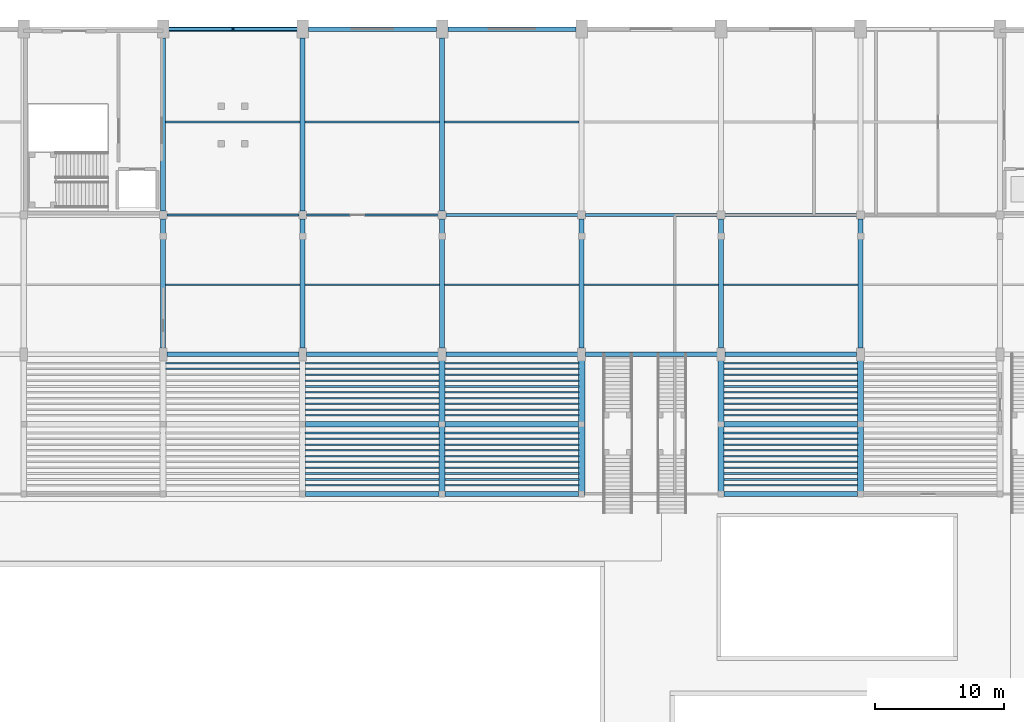
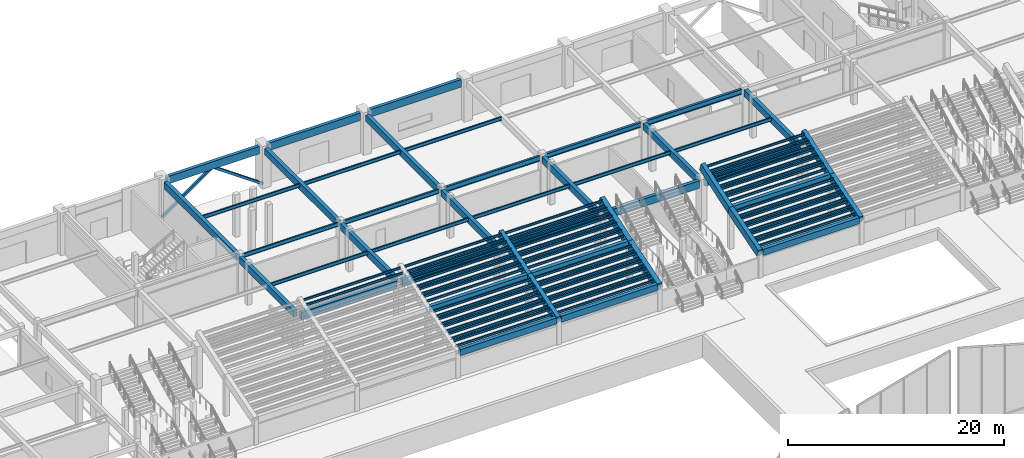
# One storey, part 30 of 82: 106 beams, 2 members.
"""IFC4 building model written with IfcOpenShell, lengths in metres."""

from ifc_helpers import new_model, si_unit, direction, frame, origin, origin_2d, place, context, subcontext, project, spatial, rectangle, hollow_rectangle, i_section, extrude, material, material_profile, profile_set, type_object, element, save


model = new_model("IFC4")

# Units and contexts
model_context = context("Model", 3, precision=1e-05, world=origin(), true_north=direction((0.0, 1.0)))
body_context = subcontext(model_context, "Body", "Model", "MODEL_VIEW")
ifc_project = project(units=[si_unit("LENGTHUNIT", "METRE"), si_unit("AREAUNIT", "SQUARE_METRE"), si_unit("VOLUMEUNIT", "CUBIC_METRE"), si_unit("PLANEANGLEUNIT", "RADIAN"), si_unit("MASSUNIT", "GRAM", prefix="KILO")], contexts=[model_context])

# Site, building, storey
site_placement = place(None, origin())
site = spatial("IfcSite", under=ifc_project, at=site_placement, CompositionType="ELEMENT")
building_placement = place(site_placement, origin())
building = spatial("IfcBuilding", under=site, at=building_placement, Name="Suirenkawa Promenade Aquatics Centre", CompositionType="ELEMENT")
storey_placement = place(building_placement, origin())
storey = spatial("IfcBuildingStorey", under=building, at=storey_placement, Name="L00", CompositionType="ELEMENT", Elevation=0.0)

# Beams
ifc_material_1 = material(Name="Steel IS 2062 E350 (Grade 350)", Category="steel")
ifc_material_profile_1 = material_profile(ifc_material_1, i_section(OverallWidth=0.125, OverallDepth=0.25, WebThickness=0.007080078125, FlangeThickness=0.012939453125, at=origin_2d()), Name="ISMB 250", Category="steel")
ifc_profile_set_1 = profile_set([ifc_material_profile_1], Name="Steel IS 2062 E350 (Grade 350)")
beam_type_1 = type_object("IfcBeamType", Name="BT-JOIST-ISMB250", PredefinedType="JOIST", material=ifc_profile_set_1)
for number, where, z_axis, x_axis, name in (
    (1, (68.60009765625, 96.080078125, 5.985107421875), (1.0, 0.0, 0.0), (0.0, 1.0, 0.0), "Seating tier rear stringer JS-01 BM-1218"),
    (2, (68.60009765625, 96.52001953125, 6.284912109375), (1.0, 0.0, 0.0), (0.0, 1.0, 0.0), "Seating tier front stringer JS-01 BM-1219"),
):
    element("IfcBeam", number, at=place(storey_placement, frame(where, z_axis=z_axis, x_axis=x_axis)), inside=storey, type_object=beam_type_1, Name=name, PredefinedType="JOIST", context=body_context, shape_type="SweptSolid", body=[
        extrude(i_section(OverallWidth=0.125, OverallDepth=0.25, WebThickness=0.007080078125, FlangeThickness=0.012939453125, at=origin_2d()), origin(), (0.0, 0.0, 1.0), 10.39990234375),
    ])
for number, where, z_axis, x_axis, name in (
    (3, (79.39990234375, 87.080078125, 2.985107421875), (1.0, 0.0, 0.0), (0.0, 1.0, 0.0), "Seating tier rear stringer JS-01 BM-1223"),
    (4, (79.39990234375, 87.52001953125, 3.284912109375), (1.0, 0.0, 0.0), (0.0, 1.0, 0.0), "Seating tier front stringer JS-01 BM-1224"),
    (5, (79.39990234375, 87.97998046875, 3.284912109375), (1.0, 0.0, 0.0), (0.0, 1.0, 0.0), "Seating tier rear stringer JS-01 BM-1225"),
    (6, (79.39990234375, 88.419921875, 3.5849609375), (1.0, 0.0, 0.0), (0.0, 1.0, 0.0), "Seating tier front stringer JS-01 BM-1226"),
    (7, (79.39990234375, 88.8798828125, 3.5849609375), (1.0, 0.0, 0.0), (0.0, 1.0, 0.0), "Seating tier rear stringer JS-01 BM-1227"),
    (8, (79.39990234375, 89.320068359375, 3.885009765625), (1.0, 0.0, 0.0), (0.0, 1.0, 0.0), "Seating tier front stringer JS-01 BM-1228"),
    (9, (79.39990234375, 89.780029296875, 3.885009765625), (1.0, 0.0, 0.0), (0.0, 1.0, 0.0), "Seating tier rear stringer JS-01 BM-1229"),
    (10, (79.39990234375, 90.219970703125, 4.18505859375), (1.0, 0.0, 0.0), (0.0, 1.0, 0.0), "Seating tier front stringer JS-01 BM-1230"),
    (11, (79.39990234375, 90.679931640625, 4.18505859375), (1.0, 0.0, 0.0), (0.0, 1.0, 0.0), "Seating tier rear stringer JS-01 BM-1231"),
    (12, (79.39990234375, 91.1201171875, 4.485107421875), (1.0, 0.0, 0.0), (0.0, 1.0, 0.0), "Seating tier front stringer JS-01 BM-1232"),
    (13, (79.39990234375, 92.47998046875, 4.784912109375), (1.0, 0.0, 0.0), (0.0, 1.0, 0.0), "Seating tier rear stringer JS-01 BM-1233"),
    (14, (79.39990234375, 92.919921875, 5.0849609375), (1.0, 0.0, 0.0), (0.0, 1.0, 0.0), "Seating tier front stringer JS-01 BM-1234"),
    (15, (79.39990234375, 93.3798828125, 5.0849609375), (1.0, 0.0, 0.0), (0.0, 1.0, 0.0), "Seating tier rear stringer JS-01 BM-1235"),
    (16, (79.39990234375, 93.820068359375, 5.385009765625), (1.0, 0.0, 0.0), (0.0, 1.0, 0.0), "Seating tier front stringer JS-01 BM-1236"),
    (17, (79.39990234375, 94.280029296875, 5.385009765625), (1.0, 0.0, 0.0), (0.0, 1.0, 0.0), "Seating tier rear stringer JS-01 BM-1237"),
    (18, (79.39990234375, 94.719970703125, 5.68505859375), (1.0, 0.0, 0.0), (0.0, 1.0, 0.0), "Seating tier front stringer JS-01 BM-1238"),
    (19, (79.39990234375, 95.179931640625, 5.68505859375), (1.0, 0.0, 0.0), (0.0, 1.0, 0.0), "Seating tier rear stringer JS-01 BM-1239"),
    (20, (79.39990234375, 95.6201171875, 5.985107421875), (1.0, 0.0, 0.0), (0.0, 1.0, 0.0), "Seating tier front stringer JS-01 BM-1240"),
    (21, (79.39990234375, 96.080078125, 5.985107421875), (1.0, 0.0, 0.0), (0.0, 1.0, 0.0), "Seating tier rear stringer JS-01 BM-1241"),
    (22, (79.39990234375, 96.52001953125, 6.284912109375), (1.0, 0.0, 0.0), (0.0, 1.0, 0.0), "Seating tier front stringer JS-01 BM-1242"),
    (23, (90.199951171875, 87.080078125, 2.985107421875), (1.0, 0.0, 0.0), (0.0, 1.0, 0.0), "Seating tier rear stringer JS-01 BM-1246"),
    (24, (90.199951171875, 87.52001953125, 3.284912109375), (1.0, 0.0, 0.0), (0.0, 1.0, 0.0), "Seating tier front stringer JS-01 BM-1247"),
    (25, (90.199951171875, 87.97998046875, 3.284912109375), (1.0, 0.0, 0.0), (0.0, 1.0, 0.0), "Seating tier rear stringer JS-01 BM-1248"),
    (26, (90.199951171875, 88.419921875, 3.5849609375), (1.0, 0.0, 0.0), (0.0, 1.0, 0.0), "Seating tier front stringer JS-01 BM-1249"),
    (27, (90.199951171875, 88.8798828125, 3.5849609375), (1.0, 0.0, 0.0), (0.0, 1.0, 0.0), "Seating tier rear stringer JS-01 BM-1250"),
    (28, (90.199951171875, 89.320068359375, 3.885009765625), (1.0, 0.0, 0.0), (0.0, 1.0, 0.0), "Seating tier front stringer JS-01 BM-1251"),
    (29, (90.199951171875, 89.780029296875, 3.885009765625), (1.0, 0.0, 0.0), (0.0, 1.0, 0.0), "Seating tier rear stringer JS-01 BM-1252"),
    (30, (90.199951171875, 90.219970703125, 4.18505859375), (1.0, 0.0, 0.0), (0.0, 1.0, 0.0), "Seating tier front stringer JS-01 BM-1253"),
    (31, (90.199951171875, 90.679931640625, 4.18505859375), (1.0, 0.0, 0.0), (0.0, 1.0, 0.0), "Seating tier rear stringer JS-01 BM-1254"),
    (32, (90.199951171875, 91.1201171875, 4.485107421875), (1.0, 0.0, 0.0), (0.0, 1.0, 0.0), "Seating tier front stringer JS-01 BM-1255"),
    (33, (90.199951171875, 92.47998046875, 4.784912109375), (1.0, 0.0, 0.0), (0.0, 1.0, 0.0), "Seating tier rear stringer JS-01 BM-1256"),
    (34, (90.199951171875, 92.919921875, 5.0849609375), (1.0, 0.0, 0.0), (0.0, 1.0, 0.0), "Seating tier front stringer JS-01 BM-1257"),
    (35, (90.199951171875, 93.3798828125, 5.0849609375), (1.0, 0.0, 0.0), (0.0, 1.0, 0.0), "Seating tier rear stringer JS-01 BM-1258"),
    (36, (90.199951171875, 93.820068359375, 5.385009765625), (1.0, 0.0, 0.0), (0.0, 1.0, 0.0), "Seating tier front stringer JS-01 BM-1259"),
    (37, (90.199951171875, 94.280029296875, 5.385009765625), (1.0, 0.0, 0.0), (0.0, 1.0, 0.0), "Seating tier rear stringer JS-01 BM-1260"),
    (38, (90.199951171875, 94.719970703125, 5.68505859375), (1.0, 0.0, 0.0), (0.0, 1.0, 0.0), "Seating tier front stringer JS-01 BM-1261"),
    (39, (90.199951171875, 95.179931640625, 5.68505859375), (1.0, 0.0, 0.0), (0.0, 1.0, 0.0), "Seating tier rear stringer JS-01 BM-1262"),
    (40, (90.199951171875, 95.6201171875, 5.985107421875), (1.0, 0.0, 0.0), (0.0, 1.0, 0.0), "Seating tier front stringer JS-01 BM-1263"),
    (41, (90.199951171875, 96.080078125, 5.985107421875), (1.0, 0.0, 0.0), (0.0, 1.0, 0.0), "Seating tier rear stringer JS-01 BM-1264"),
    (42, (90.199951171875, 96.52001953125, 6.284912109375), (1.0, 0.0, 0.0), (0.0, 1.0, 0.0), "Seating tier front stringer JS-01 BM-1265"),
):
    element("IfcBeam", number, at=place(storey_placement, frame(where, z_axis=z_axis, x_axis=x_axis)), inside=storey, type_object=beam_type_1, Name=name, PredefinedType="JOIST", context=body_context, shape_type="SweptSolid", body=[
        extrude(i_section(OverallWidth=0.125, OverallDepth=0.25, WebThickness=0.007080078125, FlangeThickness=0.012939453125, at=origin_2d()), origin(), (0.0, 0.0, 1.0), 10.400146484375),
    ])
for number, where, z_axis, x_axis, name in (
    (43, (111.800048828125, 87.080078125, 2.985107421875), (1.0, 0.0, 0.0), (0.0, 1.0, 0.0), "Seating tier rear stringer JS-01 BM-1269"),
    (44, (111.800048828125, 87.52001953125, 3.284912109375), (1.0, 0.0, 0.0), (0.0, 1.0, 0.0), "Seating tier front stringer JS-01 BM-1270"),
    (45, (111.800048828125, 87.97998046875, 3.284912109375), (1.0, 0.0, 0.0), (0.0, 1.0, 0.0), "Seating tier rear stringer JS-01 BM-1271"),
    (46, (111.800048828125, 88.419921875, 3.5849609375), (1.0, 0.0, 0.0), (0.0, 1.0, 0.0), "Seating tier front stringer JS-01 BM-1272"),
    (47, (111.800048828125, 88.8798828125, 3.5849609375), (1.0, 0.0, 0.0), (0.0, 1.0, 0.0), "Seating tier rear stringer JS-01 BM-1273"),
    (48, (111.800048828125, 89.320068359375, 3.885009765625), (1.0, 0.0, 0.0), (0.0, 1.0, 0.0), "Seating tier front stringer JS-01 BM-1274"),
    (49, (111.800048828125, 89.780029296875, 3.885009765625), (1.0, 0.0, 0.0), (0.0, 1.0, 0.0), "Seating tier rear stringer JS-01 BM-1275"),
    (50, (111.800048828125, 90.219970703125, 4.18505859375), (1.0, 0.0, 0.0), (0.0, 1.0, 0.0), "Seating tier front stringer JS-01 BM-1276"),
    (51, (111.800048828125, 90.679931640625, 4.18505859375), (1.0, 0.0, 0.0), (0.0, 1.0, 0.0), "Seating tier rear stringer JS-01 BM-1277"),
    (52, (111.800048828125, 91.1201171875, 4.485107421875), (1.0, 0.0, 0.0), (0.0, 1.0, 0.0), "Seating tier front stringer JS-01 BM-1278"),
    (53, (111.800048828125, 92.47998046875, 4.784912109375), (1.0, 0.0, 0.0), (0.0, 1.0, 0.0), "Seating tier rear stringer JS-01 BM-1279"),
    (54, (111.800048828125, 92.919921875, 5.0849609375), (1.0, 0.0, 0.0), (0.0, 1.0, 0.0), "Seating tier front stringer JS-01 BM-1280"),
    (55, (111.800048828125, 93.3798828125, 5.0849609375), (1.0, 0.0, 0.0), (0.0, 1.0, 0.0), "Seating tier rear stringer JS-01 BM-1281"),
    (56, (111.800048828125, 93.820068359375, 5.385009765625), (1.0, 0.0, 0.0), (0.0, 1.0, 0.0), "Seating tier front stringer JS-01 BM-1282"),
    (57, (111.800048828125, 94.280029296875, 5.385009765625), (1.0, 0.0, 0.0), (0.0, 1.0, 0.0), "Seating tier rear stringer JS-01 BM-1283"),
    (58, (111.800048828125, 94.719970703125, 5.68505859375), (1.0, 0.0, 0.0), (0.0, 1.0, 0.0), "Seating tier front stringer JS-01 BM-1284"),
    (59, (111.800048828125, 95.179931640625, 5.68505859375), (1.0, 0.0, 0.0), (0.0, 1.0, 0.0), "Seating tier rear stringer JS-01 BM-1285"),
    (60, (111.800048828125, 95.6201171875, 5.985107421875), (1.0, 0.0, 0.0), (0.0, 1.0, 0.0), "Seating tier front stringer JS-01 BM-1286"),
    (61, (111.800048828125, 96.080078125, 5.985107421875), (1.0, 0.0, 0.0), (0.0, 1.0, 0.0), "Seating tier rear stringer JS-01 BM-1287"),
    (62, (111.800048828125, 96.52001953125, 6.284912109375), (1.0, 0.0, 0.0), (0.0, 1.0, 0.0), "Seating tier front stringer JS-01 BM-1288"),
):
    element("IfcBeam", number, at=place(storey_placement, frame(where, z_axis=z_axis, x_axis=x_axis)), inside=storey, type_object=beam_type_1, Name=name, PredefinedType="JOIST", context=body_context, shape_type="SweptSolid", body=[
        extrude(i_section(OverallWidth=0.125, OverallDepth=0.25, WebThickness=0.007080078125, FlangeThickness=0.012939453125, at=origin_2d()), origin(), (0.0, 0.0, 1.0), 10.39990234375),
    ])
ifc_material_profile_2 = material_profile(ifc_material_1, i_section(OverallWidth=0.139892578125, OverallDepth=0.39990234375, WebThickness=0.009033203125, FlangeThickness=0.01611328125, at=origin_2d()), Name="ISMB 400", Category="steel")
ifc_profile_set_2 = profile_set([ifc_material_profile_2], Name="Steel IS 2062 E350 (Grade 350)")
beam_type_2 = type_object("IfcBeamType", Name="BT-JOIST-ISMB400", PredefinedType="JOIST", material=ifc_profile_set_2)
for number, where, z_axis, x_axis, name in (
    (63, (68.593994140625, 102.60009765625, 4.318115234375), (1.0, 0.0, 0.0), (0.0, 1.0, 0.0), "Secondary floor joist JS-04 BM-1111"),
    (64, (68.593994140625, 115.199951171875, 4.318115234375), (1.0, 0.0, 0.0), (0.0, 1.0, 0.0), "Secondary floor joist JS-04 BM-1112"),
):
    element("IfcBeam", number, at=place(storey_placement, frame(where, z_axis=z_axis, x_axis=x_axis)), inside=storey, type_object=beam_type_2, Name=name, PredefinedType="JOIST", context=body_context, shape_type="SweptSolid", body=[
        extrude(i_section(OverallWidth=0.139892578125, OverallDepth=0.39990234375, WebThickness=0.009033203125, FlangeThickness=0.01611328125, at=origin_2d()), origin(), (0.0, 0.0, 1.0), 10.412109375),
    ])
for number, where, z_axis, x_axis, name in (
    (65, (79.39404296875, 102.60009765625, 4.318115234375), (1.0, 0.0, 0.0), (0.0, 1.0, 0.0), "Secondary floor joist JS-04 BM-1113"),
    (66, (79.39404296875, 115.199951171875, 4.318115234375), (1.0, 0.0, 0.0), (0.0, 1.0, 0.0), "Secondary floor joist JS-04 BM-1114"),
    (67, (90.194091796875, 102.60009765625, 4.318115234375), (1.0, 0.0, 0.0), (0.0, 1.0, 0.0), "Secondary floor joist JS-04 BM-1115"),
    (68, (90.194091796875, 115.199951171875, 4.318115234375), (1.0, 0.0, 0.0), (0.0, 1.0, 0.0), "Secondary floor joist JS-04 BM-1116"),
):
    element("IfcBeam", number, at=place(storey_placement, frame(where, z_axis=z_axis, x_axis=x_axis)), inside=storey, type_object=beam_type_2, Name=name, PredefinedType="JOIST", context=body_context, shape_type="SweptSolid", body=[
        extrude(i_section(OverallWidth=0.139892578125, OverallDepth=0.39990234375, WebThickness=0.009033203125, FlangeThickness=0.01611328125, at=origin_2d()), origin(), (0.0, 0.0, 1.0), 10.411865234375),
    ])
for number, where, z_axis, x_axis, name in (
    (69, (100.993896484375, 102.60009765625, 4.318115234375), (1.0, 0.0, 0.0), (0.0, 1.0, 0.0), "Secondary floor joist JS-04 BM-1117"),
    (70, (111.7939453125, 102.60009765625, 4.318115234375), (1.0, 0.0, 0.0), (0.0, 1.0, 0.0), "Secondary floor joist JS-04 BM-1119"),
):
    element("IfcBeam", number, at=place(storey_placement, frame(where, z_axis=z_axis, x_axis=x_axis)), inside=storey, type_object=beam_type_2, Name=name, PredefinedType="JOIST", context=body_context, shape_type="SweptSolid", body=[
        extrude(i_section(OverallWidth=0.139892578125, OverallDepth=0.39990234375, WebThickness=0.009033203125, FlangeThickness=0.01611328125, at=origin_2d()), origin(), (0.0, 0.0, 1.0), 10.412109375),
    ])
ifc_material_2 = material(Name="Concrete M40", Category="concrete")
ifc_material_profile_3 = material_profile(ifc_material_2, rectangle(XDim=0.449951171875, YDim=0.85009765625, at=origin_2d()), Name="RC RAKER 450x850", Category="concrete")
ifc_profile_set_3 = profile_set([ifc_material_profile_3], Name="Concrete M40")
beam_type_3 = type_object("IfcBeamType", Name="BT-RAKER-450x850", PredefinedType="BEAM", material=ifc_profile_set_3)
beam_1_placement = place(storey_placement, frame((90.0, 86.39990234375, 2.68505859375), z_axis=(0.0, 0.957834627733, 0.287320075727), x_axis=(-1.0, 0.0, 0.0)))
element("IfcBeam", 71, at=beam_1_placement, inside=storey, type_object=beam_type_3, Name="RAKER spectator stand beam RK-01 BM-1162", PredefinedType="BEAM", context=body_context, shape_type="SweptSolid", body=[
    extrude(rectangle(XDim=0.449951171875, YDim=0.85009765625, at=origin_2d()), origin(), (0.0, 0.0, 1.0), 5.637939453125),
])
beam_2_placement = place(storey_placement, frame((90.0, 91.800048828125, 4.304931640625), z_axis=(0.0, 0.948683298051, 0.316227766017), x_axis=(-1.0, 0.0, 0.0)))
element("IfcBeam", 72, at=beam_2_placement, inside=storey, type_object=beam_type_3, Name="RAKER spectator stand beam RK-01 BM-1163", PredefinedType="BEAM", context=body_context, shape_type="SweptSolid", body=[
    extrude(rectangle(XDim=0.449951171875, YDim=0.85009765625, at=origin_2d()), origin(), (0.0, 0.0, 1.0), 5.533935546875),
])
beam_3_placement = place(storey_placement, frame((111.60009765625, 86.39990234375, 2.68505859375), z_axis=(0.0, 0.957834627733, 0.287320075727), x_axis=(-1.0, 0.0, 0.0)))
element("IfcBeam", 73, at=beam_3_placement, inside=storey, type_object=beam_type_3, Name="RAKER spectator stand beam RK-01 BM-1166", PredefinedType="BEAM", context=body_context, shape_type="SweptSolid", body=[
    extrude(rectangle(XDim=0.449951171875, YDim=0.85009765625, at=origin_2d()), origin(), (0.0, 0.0, 1.0), 5.637939453125),
])
beam_4_placement = place(storey_placement, frame((111.60009765625, 91.800048828125, 4.304931640625), z_axis=(0.0, 0.948683298051, 0.316227766017), x_axis=(-1.0, 0.0, 0.0)))
element("IfcBeam", 74, at=beam_4_placement, inside=storey, type_object=beam_type_3, Name="RAKER spectator stand beam RK-01 BM-1167", PredefinedType="BEAM", context=body_context, shape_type="SweptSolid", body=[
    extrude(rectangle(XDim=0.449951171875, YDim=0.85009765625, at=origin_2d()), origin(), (0.0, 0.0, 1.0), 5.533935546875),
])
beam_5_placement = place(storey_placement, frame((122.39990234375, 86.39990234375, 2.68505859375), z_axis=(0.0, 0.957834627733, 0.287320075727), x_axis=(-1.0, 0.0, 0.0)))
element("IfcBeam", 75, at=beam_5_placement, inside=storey, type_object=beam_type_3, Name="RAKER spectator stand beam RK-01 BM-1168", PredefinedType="BEAM", context=body_context, shape_type="SweptSolid", body=[
    extrude(rectangle(XDim=0.449951171875, YDim=0.85009765625, at=origin_2d()), origin(), (0.0, 0.0, 1.0), 5.637939453125),
])
beam_6_placement = place(storey_placement, frame((122.39990234375, 91.800048828125, 4.304931640625), z_axis=(0.0, 0.948683298051, 0.316227766017), x_axis=(-1.0, 0.0, 0.0)))
element("IfcBeam", 76, at=beam_6_placement, inside=storey, type_object=beam_type_3, Name="RAKER spectator stand beam RK-01 BM-1169", PredefinedType="BEAM", context=body_context, shape_type="SweptSolid", body=[
    extrude(rectangle(XDim=0.449951171875, YDim=0.85009765625, at=origin_2d()), origin(), (0.0, 0.0, 1.0), 5.533935546875),
])
ifc_material_profile_4 = material_profile(ifc_material_2, rectangle(XDim=0.5, YDim=0.949951171875, at=origin_2d()), Name="RC RAKER 500x950", Category="concrete")
ifc_profile_set_4 = profile_set([ifc_material_profile_4], Name="Concrete M40")
beam_type_4 = type_object("IfcBeamType", Name="BT-RAKER-500x950", PredefinedType="BEAM", material=ifc_profile_set_4)
beam_7_placement = place(storey_placement, frame((100.800048828125, 86.39990234375, 2.635009765625), z_axis=(0.0, 0.957834627733, 0.287320075727), x_axis=(-1.0, 0.0, 0.0)))
element("IfcBeam", 77, at=beam_7_placement, inside=storey, type_object=beam_type_4, Name="RAKER spectator stand beam RK-02 BM-1164", PredefinedType="BEAM", context=body_context, shape_type="SweptSolid", body=[
    extrude(rectangle(XDim=0.5, YDim=0.949951171875, at=origin_2d()), origin(), (0.0, 0.0, 1.0), 5.637939453125),
])
beam_8_placement = place(storey_placement, frame((100.800048828125, 91.800048828125, 4.2548828125), z_axis=(0.0, 0.948683298051, 0.316227766017), x_axis=(-1.0, 0.0, 0.0)))
element("IfcBeam", 78, at=beam_8_placement, inside=storey, type_object=beam_type_4, Name="RAKER spectator stand beam RK-02 BM-1165", PredefinedType="BEAM", context=body_context, shape_type="SweptSolid", body=[
    extrude(rectangle(XDim=0.5, YDim=0.949951171875, at=origin_2d()), origin(), (0.0, 0.0, 1.0), 5.533935546875),
])
ifc_material_3 = material(Name="Concrete M35", Category="concrete")
ifc_material_profile_5 = material_profile(ifc_material_3, rectangle(XDim=0.39990234375, YDim=0.699951171875, at=origin_2d()), Name="RC BM 400x700", Category="concrete")
ifc_profile_set_5 = profile_set([ifc_material_profile_5], Name="Concrete M35")
beam_type_5 = type_object("IfcBeamType", Name="BT-RC-400x700", PredefinedType="BEAM", material=ifc_profile_set_5)
for number, where, z_axis, x_axis, name in (
    (79, (79.43994140625, 86.39990234375, 2.760009765625), (1.0, 0.0, 0.0), (0.0, 1.0, 0.0), "Bowl front tie beam BM-04 BM-1220"),
    (80, (79.43994140625, 91.800048828125, 4.3798828125), (1.0, 0.0, 0.0), (0.0, 1.0, 0.0), "Bowl mid tie beam BM-04 BM-1221"),
    (81, (90.239990234375, 86.39990234375, 2.760009765625), (1.0, 0.0, 0.0), (0.0, 1.0, 0.0), "Bowl front tie beam BM-04 BM-1243"),
    (82, (90.239990234375, 91.800048828125, 4.3798828125), (1.0, 0.0, 0.0), (0.0, 1.0, 0.0), "Bowl mid tie beam BM-04 BM-1244"),
):
    element("IfcBeam", number, at=place(storey_placement, frame(where, z_axis=z_axis, x_axis=x_axis)), inside=storey, type_object=beam_type_5, Name=name, PredefinedType="BEAM", context=body_context, shape_type="SweptSolid", body=[
        extrude(rectangle(XDim=0.39990234375, YDim=0.699951171875, at=origin_2d()), origin(), (0.0, 0.0, 1.0), 10.320068359375),
    ])
for number, where, z_axis, x_axis, name in (
    (83, (111.840087890625, 86.39990234375, 2.760009765625), (1.0, 0.0, 0.0), (0.0, 1.0, 0.0), "Bowl front tie beam BM-04 BM-1266"),
    (84, (111.840087890625, 91.800048828125, 4.3798828125), (1.0, 0.0, 0.0), (0.0, 1.0, 0.0), "Bowl mid tie beam BM-04 BM-1267"),
):
    element("IfcBeam", number, at=place(storey_placement, frame(where, z_axis=z_axis, x_axis=x_axis)), inside=storey, type_object=beam_type_5, Name=name, PredefinedType="BEAM", context=body_context, shape_type="SweptSolid", body=[
        extrude(rectangle(XDim=0.39990234375, YDim=0.699951171875, at=origin_2d()), origin(), (0.0, 0.0, 1.0), 10.31982421875),
    ])
ifc_material_profile_6 = material_profile(ifc_material_2, rectangle(XDim=0.39990234375, YDim=0.75, at=origin_2d()), Name="RC BM 400x750", Category="concrete")
ifc_profile_set_6 = profile_set([ifc_material_profile_6], Name="Concrete M40")
beam_type_6 = type_object("IfcBeamType", Name="BT-RC-400x750", PredefinedType="BEAM", material=ifc_profile_set_6)
beam_9_placement = place(storey_placement, frame((68.39990234375, 97.694091796875, 4.14501953125), z_axis=(0.0, 1.0, 0.0), x_axis=(-1.0, 0.0, 0.0)))
element("IfcBeam", 85, at=beam_9_placement, inside=storey, type_object=beam_type_6, Name="Floor beam BM-05 BM-1090", PredefinedType="BEAM", context=body_context, shape_type="SweptSolid", body=[
    extrude(rectangle(XDim=0.39990234375, YDim=0.75, at=origin_2d()), origin(), (0.0, 0.0, 1.0), 10.011962890625),
])
beam_10_placement = place(storey_placement, frame((68.39990234375, 108.2939453125, 4.14501953125), z_axis=(0.0, 1.0, 0.0), x_axis=(-1.0, 0.0, 0.0)))
element("IfcBeam", 86, at=beam_10_placement, inside=storey, type_object=beam_type_6, Name="Floor beam BM-05 BM-1091", PredefinedType="BEAM", context=body_context, shape_type="SweptSolid", body=[
    extrude(rectangle(XDim=0.39990234375, YDim=0.75, at=origin_2d()), origin(), (0.0, 0.0, 1.0), 13.412109375),
])
beam_11_placement = place(storey_placement, frame((79.199951171875, 97.694091796875, 4.14501953125), z_axis=(0.0, 1.0, 0.0), x_axis=(-1.0, 0.0, 0.0)))
element("IfcBeam", 87, at=beam_11_placement, inside=storey, type_object=beam_type_6, Name="Floor beam BM-05 BM-1092", PredefinedType="BEAM", context=body_context, shape_type="SweptSolid", body=[
    extrude(rectangle(XDim=0.39990234375, YDim=0.75, at=origin_2d()), origin(), (0.0, 0.0, 1.0), 10.011962890625),
])
beam_12_placement = place(storey_placement, frame((79.199951171875, 108.2939453125, 4.14501953125), z_axis=(0.0, 1.0, 0.0), x_axis=(-1.0, 0.0, 0.0)))
element("IfcBeam", 88, at=beam_12_placement, inside=storey, type_object=beam_type_6, Name="Floor beam BM-05 BM-1093", PredefinedType="BEAM", context=body_context, shape_type="SweptSolid", body=[
    extrude(rectangle(XDim=0.39990234375, YDim=0.75, at=origin_2d()), origin(), (0.0, 0.0, 1.0), 13.412109375),
])
beam_13_placement = place(storey_placement, frame((90.0, 97.694091796875, 4.14501953125), z_axis=(0.0, 1.0, 0.0), x_axis=(-1.0, 0.0, 0.0)))
element("IfcBeam", 89, at=beam_13_placement, inside=storey, type_object=beam_type_6, Name="Floor beam BM-05 BM-1094", PredefinedType="BEAM", context=body_context, shape_type="SweptSolid", body=[
    extrude(rectangle(XDim=0.39990234375, YDim=0.75, at=origin_2d()), origin(), (0.0, 0.0, 1.0), 10.011962890625),
])
beam_14_placement = place(storey_placement, frame((90.0, 108.2939453125, 4.14501953125), z_axis=(0.0, 1.0, 0.0), x_axis=(-1.0, 0.0, 0.0)))
element("IfcBeam", 90, at=beam_14_placement, inside=storey, type_object=beam_type_6, Name="Floor beam BM-05 BM-1095", PredefinedType="BEAM", context=body_context, shape_type="SweptSolid", body=[
    extrude(rectangle(XDim=0.39990234375, YDim=0.75, at=origin_2d()), origin(), (0.0, 0.0, 1.0), 13.412109375),
])
for number, where, z_axis, x_axis, name in (
    (91, (100.800048828125, 97.694091796875, 4.14501953125), (0.0, 1.0, 0.0), (-1.0, 0.0, 0.0), "Floor beam BM-05 BM-1096"),
    (92, (111.60009765625, 97.694091796875, 4.14501953125), (0.0, 1.0, 0.0), (-1.0, 0.0, 0.0), "Floor beam BM-05 BM-1098"),
    (93, (122.39990234375, 97.694091796875, 4.14501953125), (0.0, 1.0, 0.0), (-1.0, 0.0, 0.0), "Floor beam BM-05 BM-1100"),
):
    element("IfcBeam", number, at=place(storey_placement, frame(where, z_axis=z_axis, x_axis=x_axis)), inside=storey, type_object=beam_type_6, Name=name, PredefinedType="BEAM", context=body_context, shape_type="SweptSolid", body=[
        extrude(rectangle(XDim=0.39990234375, YDim=0.75, at=origin_2d()), origin(), (0.0, 0.0, 1.0), 10.011962890625),
    ])
ifc_material_profile_7 = material_profile(ifc_material_2, rectangle(XDim=0.35009765625, YDim=0.85009765625, at=origin_2d()), Name="RC SPANDREL 350x850", Category="concrete")
ifc_profile_set_7 = profile_set([ifc_material_profile_7], Name="Concrete M40")
beam_type_7 = type_object("IfcBeamType", Name="BT-SPANDREL-350x850", PredefinedType="SPANDREL", material=ifc_profile_set_7)
beam_15_placement = place(storey_placement, frame((68.694091796875, 97.199951171875, 4.094970703125), z_axis=(1.0, 0.0, 0.0), x_axis=(0.0, 1.0, 0.0)))
element("IfcBeam", 94, at=beam_15_placement, inside=storey, type_object=beam_type_7, Name="Floor beam SP-02 BM-1058", PredefinedType="SPANDREL", context=body_context, shape_type="SweptSolid", body=[
    extrude(rectangle(XDim=0.35009765625, YDim=0.85009765625, at=origin_2d()), origin(), (0.0, 0.0, 1.0), 10.2119140625),
])
for number, where, z_axis, x_axis, name in (
    (95, (79.493896484375, 97.199951171875, 4.094970703125), (1.0, 0.0, 0.0), (0.0, 1.0, 0.0), "Floor beam SP-02 BM-1059"),
    (96, (90.2939453125, 97.199951171875, 4.094970703125), (1.0, 0.0, 0.0), (0.0, 1.0, 0.0), "Floor beam SP-02 BM-1060"),
):
    element("IfcBeam", number, at=place(storey_placement, frame(where, z_axis=z_axis, x_axis=x_axis)), inside=storey, type_object=beam_type_7, Name=name, PredefinedType="SPANDREL", context=body_context, shape_type="SweptSolid", body=[
        extrude(rectangle(XDim=0.35009765625, YDim=0.85009765625, at=origin_2d()), origin(), (0.0, 0.0, 1.0), 10.212158203125),
    ])
for number, where, z_axis, x_axis, name in (
    (97, (101.093994140625, 97.199951171875, 4.094970703125), (1.0, 0.0, 0.0), (0.0, 1.0, 0.0), "Floor beam SP-02 BM-1061"),
    (98, (111.89404296875, 97.199951171875, 4.094970703125), (1.0, 0.0, 0.0), (0.0, 1.0, 0.0), "Floor beam SP-02 BM-1062"),
):
    element("IfcBeam", number, at=place(storey_placement, frame(where, z_axis=z_axis, x_axis=x_axis)), inside=storey, type_object=beam_type_7, Name=name, PredefinedType="SPANDREL", context=body_context, shape_type="SweptSolid", body=[
        extrude(rectangle(XDim=0.35009765625, YDim=0.85009765625, at=origin_2d()), origin(), (0.0, 0.0, 1.0), 10.2119140625),
    ])
beam_16_placement = place(storey_placement, frame((68.843994140625, 122.39990234375, 4.094970703125), z_axis=(1.0, 0.0, 0.0), x_axis=(0.0, 1.0, 0.0)))
element("IfcBeam", 99, at=beam_16_placement, inside=storey, type_object=beam_type_7, Name="Floor beam SP-02 BM-1078", PredefinedType="SPANDREL", context=body_context, shape_type="SweptSolid", body=[
    extrude(rectangle(XDim=0.35009765625, YDim=0.85009765625, at=origin_2d()), origin(), (0.0, 0.0, 1.0), 9.912109375),
])
for number, where, z_axis, x_axis, name in (
    (100, (79.64404296875, 122.39990234375, 4.094970703125), (1.0, 0.0, 0.0), (0.0, 1.0, 0.0), "Floor beam SP-02 BM-1079"),
    (101, (90.444091796875, 122.39990234375, 4.094970703125), (1.0, 0.0, 0.0), (0.0, 1.0, 0.0), "Floor beam SP-02 BM-1080"),
):
    element("IfcBeam", number, at=place(storey_placement, frame(where, z_axis=z_axis, x_axis=x_axis)), inside=storey, type_object=beam_type_7, Name=name, PredefinedType="SPANDREL", context=body_context, shape_type="SweptSolid", body=[
        extrude(rectangle(XDim=0.35009765625, YDim=0.85009765625, at=origin_2d()), origin(), (0.0, 0.0, 1.0), 9.911865234375),
    ])
ifc_material_profile_8 = material_profile(ifc_material_1, i_section(OverallWidth=0.14990234375, OverallDepth=0.449951171875, WebThickness=0.009033203125, FlangeThickness=0.01708984375, at=origin_2d()), Name="ISMB 450", Category="steel")
ifc_profile_set_8 = profile_set([ifc_material_profile_8], Name="Steel IS 2062 E350 (Grade 350)")
beam_type_8 = type_object("IfcBeamType", Name="BT-STL-ISMB450", PredefinedType="BEAM", material=ifc_profile_set_8)
beam_17_placement = place(storey_placement, frame((68.694091796875, 108.0, 4.294921875), z_axis=(1.0, 0.0, 0.0), x_axis=(0.0, 1.0, 0.0)))
element("IfcBeam", 102, at=beam_17_placement, inside=storey, type_object=beam_type_8, Name="Floor beam BM-08 BM-1068", PredefinedType="BEAM", context=body_context, shape_type="SweptSolid", body=[
    extrude(i_section(OverallWidth=0.14990234375, OverallDepth=0.449951171875, WebThickness=0.009033203125, FlangeThickness=0.01708984375, at=origin_2d()), origin(), (0.0, 0.0, 1.0), 10.2119140625),
])
ifc_material_profile_9 = material_profile(ifc_material_1, i_section(OverallWidth=0.179931640625, OverallDepth=0.5, WebThickness=0.010009765625, FlangeThickness=0.01708984375, at=origin_2d()), Name="ISMB 500", Category="steel")
ifc_profile_set_9 = profile_set([ifc_material_profile_9], Name="Steel IS 2062 E350 (Grade 350)")
beam_type_9 = type_object("IfcBeamType", Name="BT-STL-ISMB500", PredefinedType="BEAM", material=ifc_profile_set_9)
beam_18_placement = place(storey_placement, frame((79.493896484375, 108.0, 4.27001953125), z_axis=(1.0, 0.0, 0.0), x_axis=(0.0, 1.0, 0.0)))
element("IfcBeam", 103, at=beam_18_placement, inside=storey, type_object=beam_type_9, Name="Floor beam BM-09 BM-1069", PredefinedType="BEAM", context=body_context, shape_type="SweptSolid", body=[
    extrude(i_section(OverallWidth=0.179931640625, OverallDepth=0.5, WebThickness=0.010009765625, FlangeThickness=0.01708984375, at=origin_2d()), origin(), (0.0, 0.0, 1.0), 10.212158203125),
])
ifc_material_profile_10 = material_profile(ifc_material_1, i_section(OverallWidth=0.2099609375, OverallDepth=0.60009765625, WebThickness=0.011962890625, FlangeThickness=0.02099609375, at=origin_2d()), Name="ISMB 600", Category="steel")
ifc_profile_set_10 = profile_set([ifc_material_profile_10], Name="Steel IS 2062 E350 (Grade 350)")
beam_type_10 = type_object("IfcBeamType", Name="BT-STL-ISMB600", PredefinedType="BEAM", material=ifc_profile_set_10)
beam_19_placement = place(storey_placement, frame((90.2939453125, 108.0, 4.219970703125), z_axis=(1.0, 0.0, 0.0), x_axis=(0.0, 1.0, 0.0)))
element("IfcBeam", 104, at=beam_19_placement, inside=storey, type_object=beam_type_10, Name="Floor beam BM-10 BM-1070", PredefinedType="BEAM", context=body_context, shape_type="SweptSolid", body=[
    extrude(i_section(OverallWidth=0.2099609375, OverallDepth=0.60009765625, WebThickness=0.011962890625, FlangeThickness=0.02099609375, at=origin_2d()), origin(), (0.0, 0.0, 1.0), 10.212158203125),
])
ifc_material_profile_11 = material_profile(ifc_material_1, i_section(OverallWidth=0.25, OverallDepth=0.550048828125, WebThickness=0.010986328125, FlangeThickness=0.01806640625, at=origin_2d()), Name="ISWB 550", Category="steel")
ifc_profile_set_11 = profile_set([ifc_material_profile_11], Name="Steel IS 2062 E350 (Grade 350)")
beam_type_11 = type_object("IfcBeamType", Name="BT-STL-ISWB550", PredefinedType="BEAM", material=ifc_profile_set_11)
beam_20_placement = place(storey_placement, frame((101.093994140625, 108.0, 4.2451171875), z_axis=(1.0, 0.0, 0.0), x_axis=(0.0, 1.0, 0.0)))
element("IfcBeam", 105, at=beam_20_placement, inside=storey, type_object=beam_type_11, Name="Floor beam BM-11 BM-1071", PredefinedType="BEAM", context=body_context, shape_type="SweptSolid", body=[
    extrude(i_section(OverallWidth=0.25, OverallDepth=0.550048828125, WebThickness=0.010986328125, FlangeThickness=0.01806640625, at=origin_2d()), origin(), (0.0, 0.0, 1.0), 10.2119140625),
])
ifc_material_profile_12 = material_profile(ifc_material_1, i_section(OverallWidth=0.25, OverallDepth=0.60009765625, WebThickness=0.011962890625, FlangeThickness=0.02392578125, at=origin_2d()), Name="ISWB 600", Category="steel")
ifc_profile_set_12 = profile_set([ifc_material_profile_12], Name="Steel IS 2062 E350 (Grade 350)")
beam_type_12 = type_object("IfcBeamType", Name="BT-STL-ISWB600", PredefinedType="BEAM", material=ifc_profile_set_12)
beam_21_placement = place(storey_placement, frame((111.89404296875, 108.0, 4.219970703125), z_axis=(1.0, 0.0, 0.0), x_axis=(0.0, 1.0, 0.0)))
element("IfcBeam", 106, at=beam_21_placement, inside=storey, type_object=beam_type_12, Name="Floor beam BM-12 BM-1072", PredefinedType="BEAM", context=body_context, shape_type="SweptSolid", body=[
    extrude(i_section(OverallWidth=0.25, OverallDepth=0.60009765625, WebThickness=0.011962890625, FlangeThickness=0.02392578125, at=origin_2d()), origin(), (0.0, 0.0, 1.0), 10.2119140625),
])

# Members
ifc_material_profile_13 = material_profile(ifc_material_1, hollow_rectangle(XDim=0.25, YDim=0.25, WallThickness=0.011962890625, at=origin_2d()), Name="SHS 250x250x12", Category="steel")
ifc_profile_set_13 = profile_set([ifc_material_profile_13], Name="Steel IS 2062 E350 (Grade 350)")
member_type = type_object("IfcMemberType", Name="MT-BRACE-SHS250", PredefinedType="BRACE", material=ifc_profile_set_13)
member_1_placement = place(storey_placement, frame((68.39990234375, 122.39990234375, 0.050048828125), z_axis=(0.817810286204, 0.0, 0.575487911062), x_axis=(0.0, 1.0, 0.0)))
element("IfcMember", 107, at=member_1_placement, inside=storey, type_object=member_type, Name="ROOF TRUSS Vertical chevron brace BF-03 MB-2905", PredefinedType="BRACE", context=body_context, shape_type="SweptSolid", body=[
    extrude(hollow_rectangle(XDim=0.25, YDim=0.25, WallThickness=0.011962890625, at=origin_2d()), origin(), (0.0, 0.0, 1.0), 6.603271484375),
])
member_2_placement = place(storey_placement, frame((79.199951171875, 122.39990234375, 0.050048828125), z_axis=(-0.817798040629, 0.0, 0.575505312524), x_axis=(0.0, -1.0, 0.0)))
element("IfcMember", 108, at=member_2_placement, inside=storey, type_object=member_type, Name="ROOF TRUSS Vertical chevron brace BF-03 MB-2906", PredefinedType="BRACE", context=body_context, shape_type="SweptSolid", body=[
    extrude(hollow_rectangle(XDim=0.25, YDim=0.25, WallThickness=0.011962890625, at=origin_2d()), origin(), (0.0, 0.0, 1.0), 6.60302734375),
])

save(model, "model.ifc")
